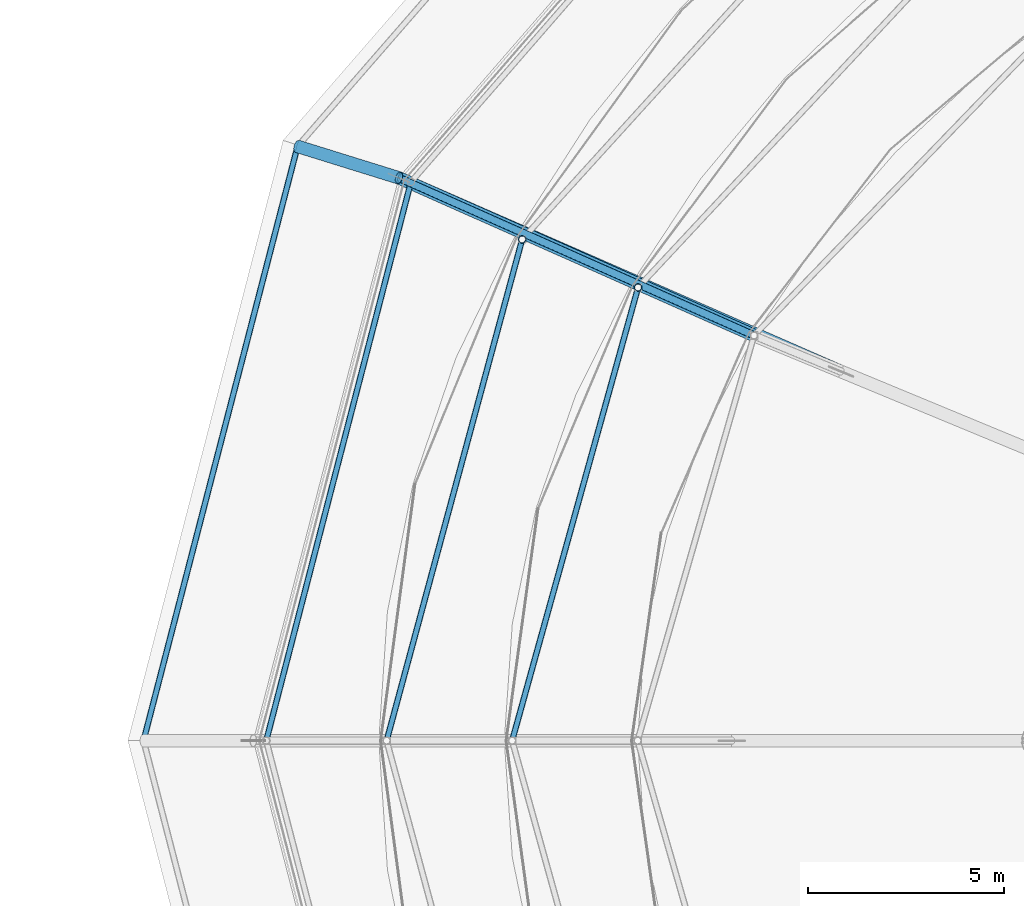
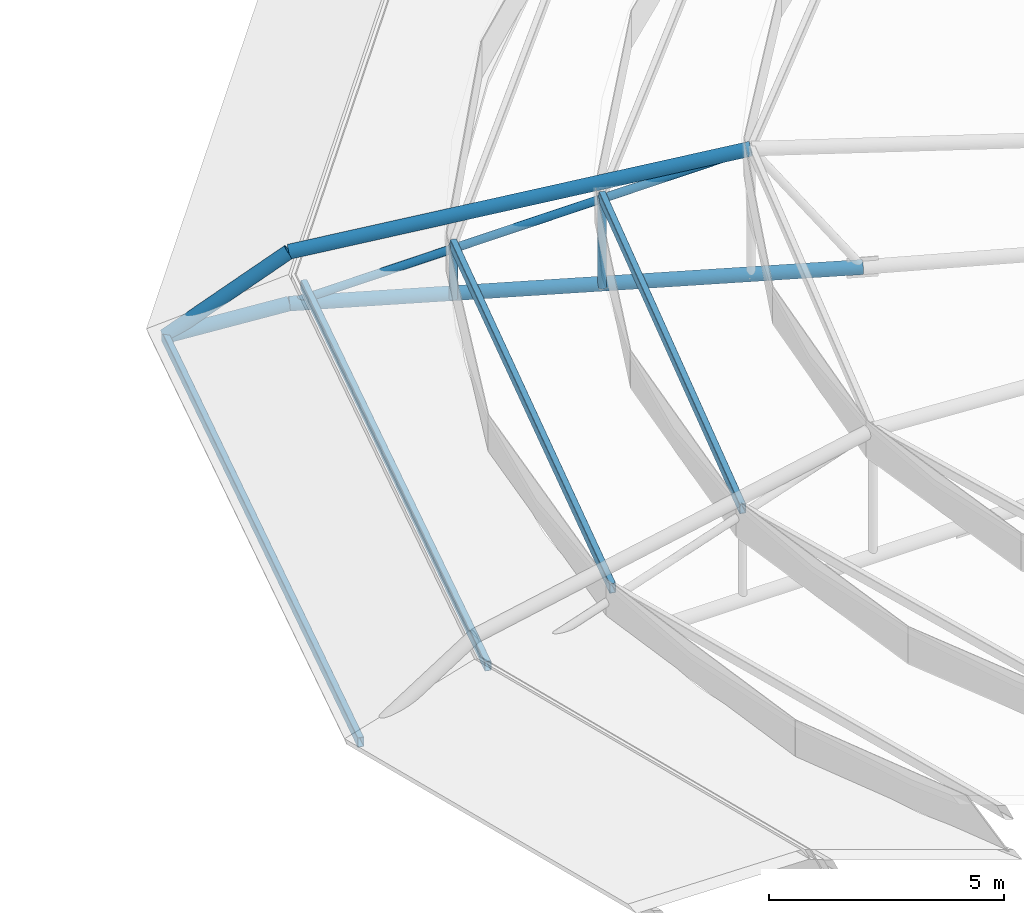
# One storey, part 19 of 134: 7 members, 4 beams.
"""IFC4 building model written with IfcOpenShell, lengths in metres."""

from ifc_helpers import new_model, si_unit, derived_unit, direction, frame, origin, origin_2d, place, context, subcontext, project, spatial, hollow_rectangle, hollow_circle, extrude, material, material_profile, profile_set, type_object, element, save


model = new_model("IFC4")

# Units and contexts
model_context = context("Model", 3, precision=1e-05, world=origin(), true_north=direction((0.0, 1.0)))
body_context = subcontext(model_context, "Body", "Model", "MODEL_VIEW")
ifc_project = project(units=[si_unit("LENGTHUNIT", "METRE"), si_unit("AREAUNIT", "SQUARE_METRE"), si_unit("VOLUMEUNIT", "CUBIC_METRE"), si_unit("PLANEANGLEUNIT", "RADIAN"), si_unit("MASSUNIT", "GRAM", prefix="KILO"), derived_unit("THERMALTRANSMITTANCEUNIT", [(si_unit("MASSUNIT", "GRAM", prefix="KILO"), 1), (si_unit("TIMEUNIT", "SECOND"), -3), (si_unit("THERMODYNAMICTEMPERATUREUNIT", "KELVIN"), -1)])], contexts=[model_context])

# Site, building, storey
site_placement = place(None, origin())
site = spatial("IfcSite", under=ifc_project, at=site_placement, CompositionType="ELEMENT")
building_placement = place(site_placement, origin())
building = spatial("IfcBuilding", under=site, at=building_placement, Name="Kharveza Railside Sports Centre", CompositionType="ELEMENT")
storey_placement = place(building_placement, frame((0.0, 0.0, 12.89990234375)))
storey = spatial("IfcBuildingStorey", under=building, at=storey_placement, Name="L03", CompositionType="ELEMENT", Elevation=12.89990234375)

# Beams
ifc_material = material(Name="Steel S355J2", Category="steel")
ifc_material_profile_1 = material_profile(ifc_material, hollow_rectangle(XDim=0.14990234375, YDim=0.25, WallThickness=0.010009765625, InnerFilletRadius=0.010009765625, OuterFilletRadius=0.02001953125, at=origin_2d()), Name="RHS 150x250x10.0")
ifc_profile_set_1 = profile_set([ifc_material_profile_1], Name="Steel S355J2")
beam_type = type_object("IfcBeamType", Name="BM-SP04", PredefinedType="SPANDREL", material=ifc_profile_set_1)
beam_1_placement = place(storey_placement, frame((9.819580078125, 64.646240234375, 0.405029296875), z_axis=(-0.250720342017, -0.968059559169, 0.0), x_axis=(0.968059559169, -0.250720342017, 0.0)))
element("IfcBeam", 1, at=beam_1_placement, inside=storey, type_object=beam_type, Name="BM-LIDRING-S1-08", PredefinedType="SPANDREL", context=body_context, shape_type="SweptSolid", body=[
    extrude(hollow_rectangle(XDim=0.14990234375, YDim=0.25, WallThickness=0.010009765625, InnerFilletRadius=0.010009765625, OuterFilletRadius=0.02001953125, at=origin_2d()), origin(), (0.0, 0.0, 1.0), 14.71630859375),
])
beam_2_placement = place(storey_placement, frame((12.65576171875, 63.181640625, 1.35498046875), z_axis=(-0.260999585678, -0.96533891265, 0.0), x_axis=(0.96533891265, -0.260999585678, 0.0)))
element("IfcBeam", 2, at=beam_2_placement, inside=storey, type_object=beam_type, Name="BM-LIDRING-S2-08", PredefinedType="SPANDREL", context=body_context, shape_type="SweptSolid", body=[
    extrude(hollow_rectangle(XDim=0.14990234375, YDim=0.25, WallThickness=0.010009765625, InnerFilletRadius=0.010009765625, OuterFilletRadius=0.02001953125, at=origin_2d()), origin(), (0.0, 0.0, 1.0), 13.24072265625),
])
beam_3_placement = place(storey_placement, frame((15.6123046875, 61.95703125, 2.30517578125), z_axis=(-0.267805518107, -0.963472991044, 0.0), x_axis=(0.963472991044, -0.267805518107, 0.0)))
element("IfcBeam", 3, at=beam_3_placement, inside=storey, type_object=beam_type, Name="BM-LIDRING-S3-08", PredefinedType="SPANDREL", context=body_context, shape_type="SweptSolid", body=[
    extrude(hollow_rectangle(XDim=0.14990234375, YDim=0.25, WallThickness=0.010009765625, InnerFilletRadius=0.010009765625, OuterFilletRadius=0.02001953125, at=origin_2d()), origin(), (0.0, 0.0, 1.0), 11.995361328125),
])
beam_4_placement = place(storey_placement, frame((6.927734375, 65.55419921875, -0.47998046875), z_axis=(-0.250892882521, -0.968014856033, 0.0), x_axis=(0.968014856033, -0.250892882521, 0.0)))
element("IfcBeam", 4, at=beam_4_placement, inside=storey, type_object=beam_type, Name="BM-LIDRING-RIM-08", PredefinedType="SPANDREL", context=body_context, shape_type="SweptSolid", body=[
    extrude(hollow_rectangle(XDim=0.14990234375, YDim=0.25, WallThickness=0.010009765625, InnerFilletRadius=0.010009765625, OuterFilletRadius=0.02001953125, at=origin_2d()), origin(), (0.0, 0.0, 1.0), 15.655029296875),
])

# Members
ifc_material_profile_2 = material_profile(ifc_material, hollow_circle(Radius=0.161865234375, WallThickness=0.01611328125, at=origin_2d()), Name="CHS 323.9x16.0")
ifc_profile_set_2 = profile_set([ifc_material_profile_2], Name="Steel S355J2")
member_type_1 = type_object("IfcMemberType", Name="MB-CH02", PredefinedType="CHORD", material=ifc_profile_set_2)
member_1_placement = place(storey_placement, frame((20.785888671875, 59.81396484375, -0.0498046875), z_axis=(-0.915997428521, 0.401184135956, 0.0), x_axis=(-0.401184135956, -0.915997428521, 0.0)))
element("IfcMember", 5, at=member_1_placement, inside=storey, type_object=member_type_1, Name="MB-OUT-BC2-08", PredefinedType="CHORD", context=body_context, shape_type="SweptSolid", body=[
    extrude(hollow_circle(Radius=0.161865234375, WallThickness=0.01611328125, at=origin_2d()), origin(), (0.0, 0.0, 1.0), 12.304931640625),
])
member_2_placement = place(storey_placement, frame((9.5146484375, 64.75048828125, -0.0498046875), z_axis=(-0.943154431361, 0.293022309177, -0.156836363539), x_axis=(-0.296694015615, -0.95497259704, 0.0)))
element("IfcMember", 6, at=member_2_placement, inside=storey, type_object=member_type_1, Name="MB-OUT-BC3-08", PredefinedType="CHORD", context=body_context, shape_type="SweptSolid", body=[
    extrude(hollow_circle(Radius=0.161865234375, WallThickness=0.01611328125, at=origin_2d()), origin(), (0.0, 0.0, 1.0), 2.742919921875),
])
member_3_placement = place(storey_placement, frame((18.568603515625, 60.732421875, 3.25), z_axis=(-0.89682131677, 0.398001489319, -0.193148492842), x_axis=(-0.405639876127, -0.914032981295, 0.0)))
element("IfcMember", 7, at=member_3_placement, inside=storey, type_object=member_type_1, Name="MB-OUT-TC2-08", PredefinedType="CHORD", context=body_context, shape_type="SweptSolid", body=[
    extrude(hollow_circle(Radius=0.161865234375, WallThickness=0.01611328125, at=origin_2d()), origin(), (0.0, 0.0, 1.0), 10.095703125),
])
member_4_placement = place(storey_placement, frame((9.5146484375, 64.75048828125, 1.300048828125), z_axis=(-0.798088985547, 0.247952901134, -0.549156926541), x_axis=(-0.296694015615, -0.95497259704, 0.0)))
element("IfcMember", 8, at=member_4_placement, inside=storey, type_object=member_type_1, Name="MB-OUT-TC3-08", PredefinedType="CHORD", context=body_context, shape_type="SweptSolid", body=[
    extrude(hollow_circle(Radius=0.161865234375, WallThickness=0.01611328125, at=origin_2d()), origin(), (0.0, 0.0, 1.0), 3.241455078125),
])
ifc_material_profile_3 = material_profile(ifc_material, hollow_circle(Radius=0.096923828125, WallThickness=0.010009765625, at=origin_2d()), Name="CHS 193.7x10.0")
ifc_profile_set_3 = profile_set([ifc_material_profile_3], Name="Steel S355J2")
member_type_2 = type_object("IfcMemberType", Name="MB-ST02", PredefinedType="STRUT", material=ifc_profile_set_3)
member_5_placement = place(storey_placement, frame((12.65576171875, 63.181640625, -0.0498046875), z_axis=(0.0, 0.0, 1.0), x_axis=(1.0, 0.0, 0.0)))
element("IfcMember", 9, at=member_5_placement, inside=storey, type_object=member_type_2, Name="MB-LIDPOST-S2-08", PredefinedType="STRUT", context=body_context, shape_type="SweptSolid", body=[
    extrude(hollow_circle(Radius=0.096923828125, WallThickness=0.010009765625, at=origin_2d()), origin(), (0.0, 0.0, 1.0), 1.40478515625),
])
member_6_placement = place(storey_placement, frame((15.6123046875, 61.95703125, -0.0498046875), z_axis=(0.0, 0.0, 1.0), x_axis=(1.0, 0.0, 0.0)))
element("IfcMember", 10, at=member_6_placement, inside=storey, type_object=member_type_2, Name="MB-LIDPOST-S3-08", PredefinedType="STRUT", context=body_context, shape_type="SweptSolid", body=[
    extrude(hollow_circle(Radius=0.096923828125, WallThickness=0.010009765625, at=origin_2d()), origin(), (0.0, 0.0, 1.0), 2.35498046875),
])
member_7_placement = place(storey_placement, frame((18.568603515625, 60.732421875, 3.25), z_axis=(-0.867181101303, 0.384847419853, -0.316052845226), x_axis=(-0.405639876127, -0.914032981295, 0.0)))
element("IfcMember", 11, at=member_7_placement, inside=storey, type_object=member_type_2, Name="MB-OUT-WEB-08-3", PredefinedType="STRUT", context=body_context, shape_type="SweptSolid", body=[
    extrude(hollow_circle(Radius=0.096923828125, WallThickness=0.010009765625, at=origin_2d()), origin(), (0.0, 0.0, 1.0), 10.440673828125),
])

save(model, "model.ifc")
